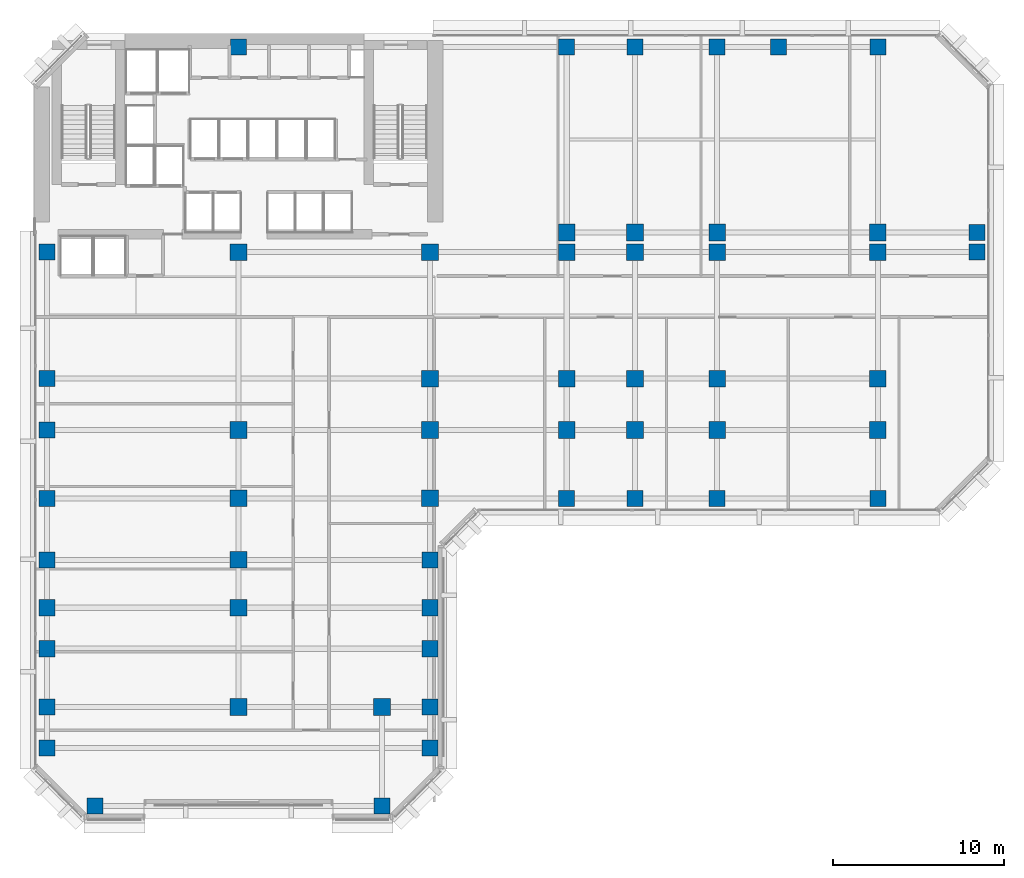
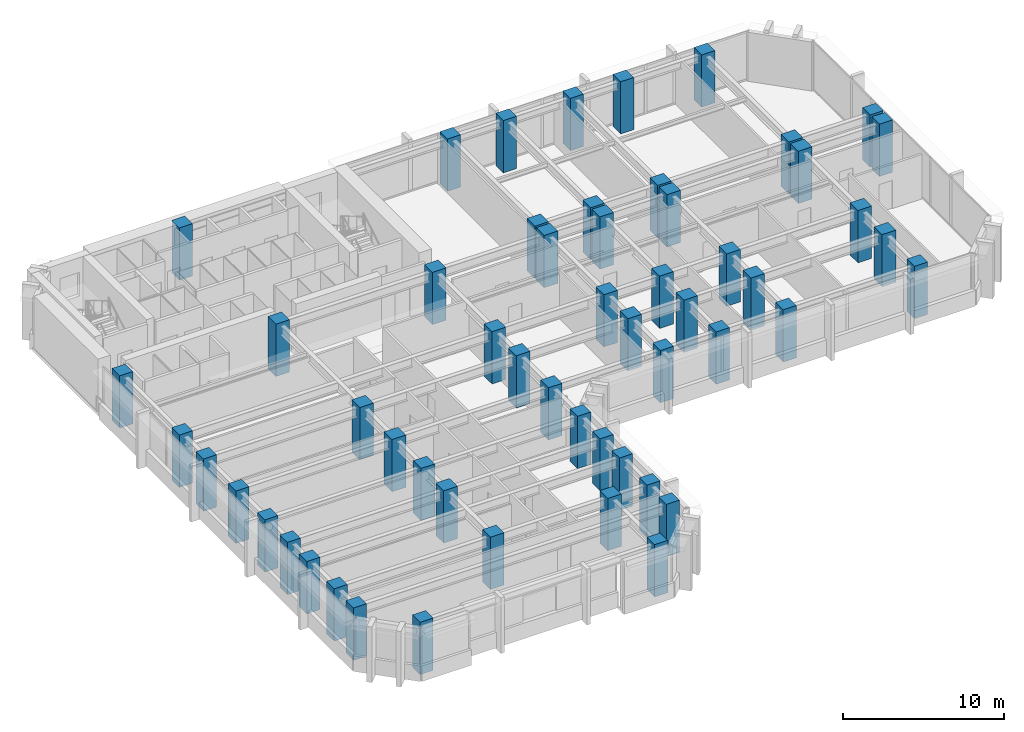
# One storey, part 1 of 14: 55 columns.
"""IFC4 building model written with IfcOpenShell, lengths in metres."""

from ifc_helpers import new_model, si_unit, direction, frame, origin, origin_2d, place, context, subcontext, project, spatial, rectangle, extrude, material, material_profile, profile_set, type_object, element, save


model = new_model("IFC4")

# Units and contexts
model_context = context("Model", 3, precision=1e-05, world=origin(), true_north=direction((0.0, 1.0)))
body_context = subcontext(model_context, "Body", "Model", "MODEL_VIEW")
ifc_project = project(units=[si_unit("LENGTHUNIT", "METRE"), si_unit("AREAUNIT", "SQUARE_METRE"), si_unit("VOLUMEUNIT", "CUBIC_METRE"), si_unit("PLANEANGLEUNIT", "RADIAN"), si_unit("MASSUNIT", "GRAM", prefix="KILO")], contexts=[model_context])

# Site, building, storey
site_placement = place(None, origin())
site = spatial("IfcSite", under=ifc_project, at=site_placement, CompositionType="ELEMENT")
building_placement = place(site_placement, origin())
building = spatial("IfcBuilding", under=site, at=building_placement, Name="Kefirva Bronze Tower", CompositionType="ELEMENT")
storey_placement = place(building_placement, frame((0.0, 0.0, 66.0)))
storey = spatial("IfcBuildingStorey", under=building, at=storey_placement, Name="L15", CompositionType="ELEMENT", Elevation=66.0)

# Columns
ifc_material = material(Name="Concrete C60/75", Category="concrete")
ifc_material_profile_1 = material_profile(ifc_material, rectangle(XDim=0.93994140625, YDim=0.93994140625, at=origin_2d()), Name="RC 940x940")
ifc_profile_set_1 = profile_set([ifc_material_profile_1], Name="Concrete C60/75")
column_type_1 = type_object("IfcColumnType", Name="RC Column 940x940 Ext", PredefinedType="COLUMN", material=ifc_profile_set_1)
for number, where, z_axis, x_axis, name in (
    (1, (0.800048828125, 4.199951171875, 0.0), (0.0, 0.0, 1.0), (1.0, 0.0, 0.0), "L15 Column C008_042"),
    (2, (0.800048828125, 6.60009765625, 0.0), (0.0, 0.0, 1.0), (1.0, 0.0, 0.0), "L15 Column C008_066"),
    (3, (0.800048828125, 10.0, 0.0), (0.0, 0.0, 1.0), (1.0, 0.0, 0.0), "L15 Column C008_100"),
    (4, (0.800048828125, 12.39990234375, 0.0), (0.0, 0.0, 1.0), (1.0, 0.0, 0.0), "L15 Column C008_124"),
    (5, (0.800048828125, 15.199951171875, 0.0), (0.0, 0.0, 1.0), (1.0, 0.0, 0.0), "L15 Column C008_152"),
    (6, (0.800048828125, 18.800048828125, 0.0), (0.0, 0.0, 1.0), (1.0, 0.0, 0.0), "L15 Column C008_188"),
    (7, (0.800048828125, 22.800048828125, 0.0), (0.0, 0.0, 1.0), (1.0, 0.0, 0.0), "L15 Column C008_228"),
    (8, (0.800048828125, 25.800048828125, 0.0), (0.0, 0.0, 1.0), (1.0, 0.0, 0.0), "L15 Column C008_258"),
    (9, (0.800048828125, 33.199951171875, 0.0), (0.0, 0.0, 1.0), (1.0, 0.0, 0.0), "L15 Column C008_332"),
    (10, (3.60009765625, 0.800048828125, 0.0), (0.0, 0.0, 1.0), (1.0, 0.0, 0.0), "L15 Column C036_008"),
    (11, (12.0, 45.199951171875, 0.0), (0.0, 0.0, 1.0), (1.0, 0.0, 0.0), "L15 Column C120_452"),
    (12, (20.39990234375, 0.800048828125, 0.0), (0.0, 0.0, 1.0), (1.0, 0.0, 0.0), "L15 Column C204_008"),
    (13, (23.199951171875, 4.199951171875, 0.0), (0.0, 0.0, 1.0), (1.0, 0.0, 0.0), "L15 Column C232_042"),
    (14, (23.199951171875, 6.60009765625, 0.0), (0.0, 0.0, 1.0), (1.0, 0.0, 0.0), "L15 Column C232_066"),
    (15, (23.199951171875, 10.0, 0.0), (0.0, 0.0, 1.0), (1.0, 0.0, 0.0), "L15 Column C232_100"),
    (16, (23.199951171875, 12.39990234375, 0.0), (0.0, 0.0, 1.0), (1.0, 0.0, 0.0), "L15 Column C232_124"),
    (17, (23.199951171875, 15.199951171875, 0.0), (0.0, 0.0, 1.0), (1.0, 0.0, 0.0), "L15 Column C232_152"),
    (18, (31.199951171875, 18.800048828125, 0.0), (0.0, 0.0, 1.0), (1.0, 0.0, 0.0), "L15 Column C312_188"),
    (19, (31.199951171875, 45.199951171875, 0.0), (0.0, 0.0, 1.0), (1.0, 0.0, 0.0), "L15 Column C312_452"),
    (20, (35.199951171875, 18.800048828125, 0.0), (0.0, 0.0, 1.0), (1.0, 0.0, 0.0), "L15 Column C352_188"),
    (21, (35.199951171875, 45.199951171875, 0.0), (0.0, 0.0, 1.0), (1.0, 0.0, 0.0), "L15 Column C352_452"),
    (22, (40.0, 18.800048828125, 0.0), (0.0, 0.0, 1.0), (1.0, 0.0, 0.0), "L15 Column C400_188"),
    (23, (40.0, 45.199951171875, 0.0), (0.0, 0.0, 1.0), (1.0, 0.0, 0.0), "L15 Column C400_452"),
    (24, (43.60009765625, 45.199951171875, 0.0), (0.0, 0.0, 1.0), (1.0, 0.0, 0.0), "L15 Column C436_452"),
    (25, (49.39990234375, 18.800048828125, 0.0), (0.0, 0.0, 1.0), (1.0, 0.0, 0.0), "L15 Column C494_188"),
    (26, (49.39990234375, 45.199951171875, 0.0), (0.0, 0.0, 1.0), (1.0, 0.0, 0.0), "L15 Column C494_452"),
    (27, (55.199951171875, 33.199951171875, 0.0), (0.0, 0.0, 1.0), (1.0, 0.0, 0.0), "L15 Column C552_332"),
    (28, (55.199951171875, 34.35009765625, 0.0), (0.0, 0.0, 1.0), (1.0, 0.0, 0.0), "L15 Column C552_344"),
):
    element("IfcColumn", number, at=place(storey_placement, frame(where, z_axis=z_axis, x_axis=x_axis)), inside=storey, type_object=column_type_1, Name=name, PredefinedType="COLUMN", context=body_context, shape_type="SweptSolid", body=[
        extrude(rectangle(XDim=0.93994140625, YDim=0.93994140625, at=origin_2d()), origin(), (0.0, 0.0, 1.0), 3.9599609375),
    ])
ifc_material_profile_2 = material_profile(ifc_material, rectangle(XDim=0.97998046875, YDim=0.97998046875, at=origin_2d()), Name="RC 980x980")
ifc_profile_set_2 = profile_set([ifc_material_profile_2], Name="Concrete C60/75")
column_type_2 = type_object("IfcColumnType", Name="RC Column 980x980 Int", PredefinedType="COLUMN", material=ifc_profile_set_2)
for number, where, z_axis, x_axis, name in (
    (29, (12.0, 6.60009765625, 0.0), (0.0, 0.0, 1.0), (1.0, 0.0, 0.0), "L15 Column C120_066"),
    (30, (12.0, 12.39990234375, 0.0), (0.0, 0.0, 1.0), (1.0, 0.0, 0.0), "L15 Column C120_124"),
    (31, (12.0, 15.199951171875, 0.0), (0.0, 0.0, 1.0), (1.0, 0.0, 0.0), "L15 Column C120_152"),
    (32, (12.0, 18.800048828125, 0.0), (0.0, 0.0, 1.0), (1.0, 0.0, 0.0), "L15 Column C120_188"),
    (33, (12.0, 22.800048828125, 0.0), (0.0, 0.0, 1.0), (1.0, 0.0, 0.0), "L15 Column C120_228"),
    (34, (12.0, 33.199951171875, 0.0), (0.0, 0.0, 1.0), (1.0, 0.0, 0.0), "L15 Column C120_332"),
    (35, (20.39990234375, 6.60009765625, 0.0), (0.0, 0.0, 1.0), (1.0, 0.0, 0.0), "L15 Column C204_066"),
    (36, (23.199951171875, 18.800048828125, 0.0), (0.0, 0.0, 1.0), (1.0, 0.0, 0.0), "L15 Column C232_188"),
    (37, (23.199951171875, 22.800048828125, 0.0), (0.0, 0.0, 1.0), (1.0, 0.0, 0.0), "L15 Column C232_228"),
    (38, (23.199951171875, 25.800048828125, 0.0), (0.0, 0.0, 1.0), (1.0, 0.0, 0.0), "L15 Column C232_258"),
    (39, (23.199951171875, 33.199951171875, 0.0), (0.0, 0.0, 1.0), (1.0, 0.0, 0.0), "L15 Column C232_332"),
    (40, (31.199951171875, 22.800048828125, 0.0), (0.0, 0.0, 1.0), (1.0, 0.0, 0.0), "L15 Column C312_228"),
    (41, (31.199951171875, 25.800048828125, 0.0), (0.0, 0.0, 1.0), (1.0, 0.0, 0.0), "L15 Column C312_258"),
    (42, (31.199951171875, 33.199951171875, 0.0), (0.0, 0.0, 1.0), (1.0, 0.0, 0.0), "L15 Column C312_332"),
    (43, (31.199951171875, 34.35009765625, 0.0), (0.0, 0.0, 1.0), (1.0, 0.0, 0.0), "L15 Column C312_344"),
    (44, (35.199951171875, 22.800048828125, 0.0), (0.0, 0.0, 1.0), (1.0, 0.0, 0.0), "L15 Column C352_228"),
    (45, (35.199951171875, 25.800048828125, 0.0), (0.0, 0.0, 1.0), (1.0, 0.0, 0.0), "L15 Column C352_258"),
    (46, (35.199951171875, 33.199951171875, 0.0), (0.0, 0.0, 1.0), (1.0, 0.0, 0.0), "L15 Column C352_332"),
    (47, (35.199951171875, 34.35009765625, 0.0), (0.0, 0.0, 1.0), (1.0, 0.0, 0.0), "L15 Column C352_344"),
    (48, (40.0, 22.800048828125, 0.0), (0.0, 0.0, 1.0), (1.0, 0.0, 0.0), "L15 Column C400_228"),
    (49, (40.0, 25.800048828125, 0.0), (0.0, 0.0, 1.0), (1.0, 0.0, 0.0), "L15 Column C400_258"),
    (50, (40.0, 33.199951171875, 0.0), (0.0, 0.0, 1.0), (1.0, 0.0, 0.0), "L15 Column C400_332"),
    (51, (40.0, 34.35009765625, 0.0), (0.0, 0.0, 1.0), (1.0, 0.0, 0.0), "L15 Column C400_344"),
    (52, (49.39990234375, 22.800048828125, 0.0), (0.0, 0.0, 1.0), (1.0, 0.0, 0.0), "L15 Column C494_228"),
    (53, (49.39990234375, 25.800048828125, 0.0), (0.0, 0.0, 1.0), (1.0, 0.0, 0.0), "L15 Column C494_258"),
    (54, (49.39990234375, 33.199951171875, 0.0), (0.0, 0.0, 1.0), (1.0, 0.0, 0.0), "L15 Column C494_332"),
    (55, (49.39990234375, 34.35009765625, 0.0), (0.0, 0.0, 1.0), (1.0, 0.0, 0.0), "L15 Column C494_344"),
):
    element("IfcColumn", number, at=place(storey_placement, frame(where, z_axis=z_axis, x_axis=x_axis)), inside=storey, type_object=column_type_2, Name=name, PredefinedType="COLUMN", context=body_context, shape_type="SweptSolid", body=[
        extrude(rectangle(XDim=0.97998046875, YDim=0.97998046875, at=origin_2d()), origin(), (0.0, 0.0, 1.0), 3.9599609375),
    ])

save(model, "model.ifc")
